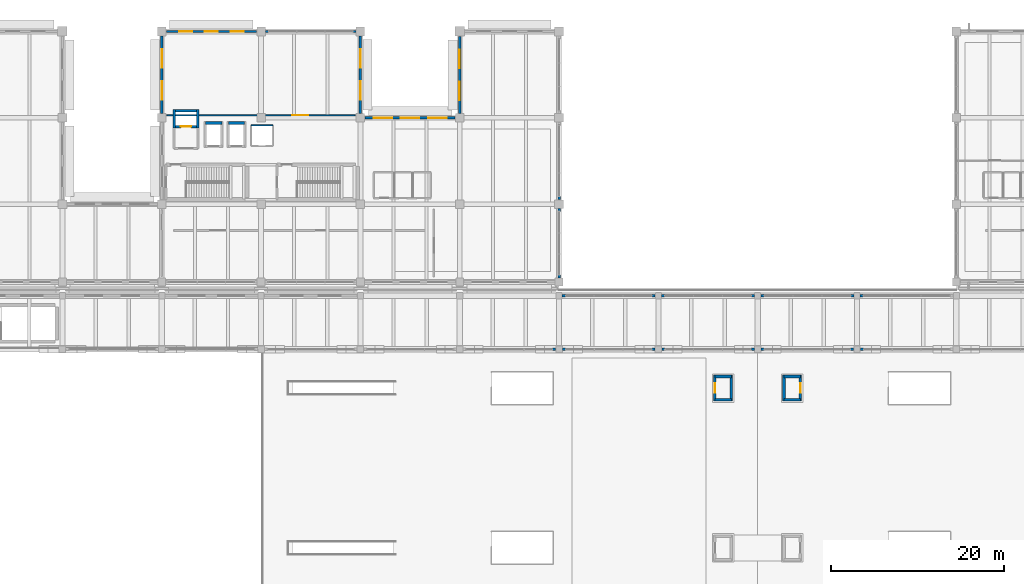
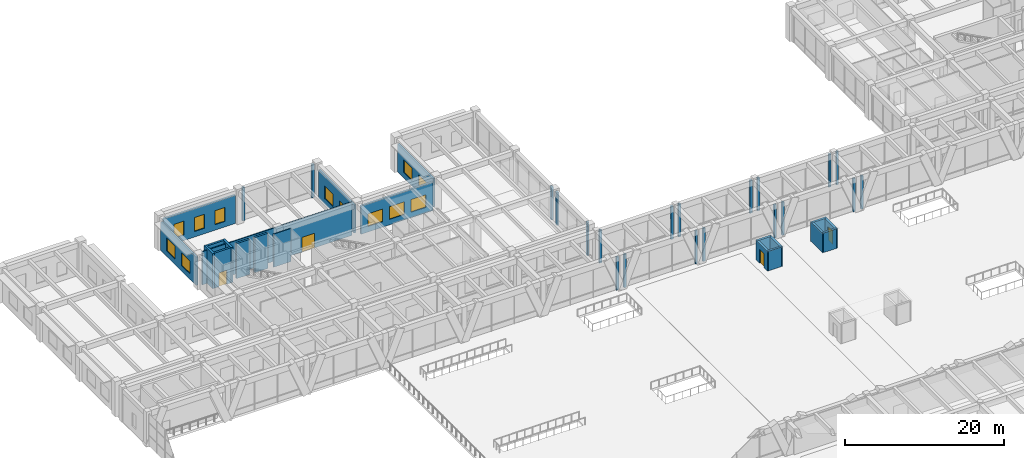
# One storey, part 129 of 148: 41 walls, 12 windows, 4 doors, 16 openings.
"""IFC4 building model written with IfcOpenShell, lengths in metres."""

from ifc_helpers import new_model, si_unit, direction, frame, frame_2d, origin, place, context, subcontext, project, spatial, rectangle, extrude, material, layer, layer_set, type_object, element, fill, save


model = new_model("IFC4")

# Units and contexts
model_context = context("Model", 3, precision=1e-05, world=origin(), true_north=direction((0.0, 1.0)))
body_context = subcontext(model_context, "Body", "Model", "MODEL_VIEW")
ifc_project = project(units=[si_unit("LENGTHUNIT", "METRE"), si_unit("AREAUNIT", "SQUARE_METRE"), si_unit("VOLUMEUNIT", "CUBIC_METRE"), si_unit("PLANEANGLEUNIT", "RADIAN"), si_unit("MASSUNIT", "GRAM", prefix="KILO")], contexts=[model_context])

# Site, building, storey
site_placement = place(None, origin())
site = spatial("IfcSite", under=ifc_project, at=site_placement, CompositionType="ELEMENT")
building_placement = place(site_placement, origin())
building = spatial("IfcBuilding", under=site, at=building_placement, Name="Ologun Quay Terminus", CompositionType="ELEMENT")
storey_placement = place(building_placement, frame((0.0, 0.0, 8.39990234375)))
storey = spatial("IfcBuildingStorey", under=building, at=storey_placement, Name="L02", CompositionType="ELEMENT", Elevation=8.39990234375)

# Wall, opening, door
ifc_material_1 = material(Name="Gypsum Acoustic Stud")
ifc_layer_1 = layer(ifc_material_1, 0.14990234375)
ifc_layer_set_1 = layer_set([ifc_layer_1], Name="Gypsum Acoustic Stud")
wall_type_1 = type_object("IfcWallType", Name="Community & Reading Room Partition 150", PredefinedType="PARTITIONING", material=ifc_layer_set_1)
wall_1_placement = place(storey_placement, frame((23.60009765625, 105.10009765625, 0.0), z_axis=(0.0, 0.0, 1.0), x_axis=(1.0, 0.0, 0.0)))
wall_1 = element("IfcWall", 1, at=wall_1_placement, inside=storey, type_object=wall_type_1, Name="PW-05 Partition L02-HistArchive-S", PredefinedType="PARTITIONING", context=body_context, shape_type="SweptSolid", body=[
    extrude(rectangle(XDim=21.7998046875, YDim=0.14990234375, at=frame_2d((10.89990234375, 0.0))), origin(), (0.0, 0.0, 1.0), 5.1201171875),
])
opening_1_placement = place(wall_1_placement, frame((14.5, 0.0, 0.0)))
opening_1 = element("IfcOpeningElement", 2, at=opening_1_placement, cuts=wall_1, Name="Opening ID-318", PredefinedType="OPENING", context=body_context, shape_type="SweptSolid", body=[
    extrude(rectangle(XDim=1.85009765625, YDim=2.25, at=frame_2d((0.925048828125, 1.125))), frame((0.0, 0.0849609375, 0.0), z_axis=(0.0, -1.0, 0.0), x_axis=(1.0, 0.0, 0.0)), (0.0, 0.0, 1.0), 0.169921875),
])
ifc_material_2 = material(Name="Glass", Category="glass")
door_type_1 = type_object("IfcDoorType", Name="Reading Room Glazed Pair 1850x2250", OperationType="DOUBLE_DOOR_SINGLE_SWING", PredefinedType="DOOR", material=ifc_material_2)
door_1_placement = place(opening_1_placement, origin())
door_1 = element("IfcDoor", 3, at=door_1_placement, inside=storey, type_object=door_type_1, Name="ID-11 Door ID-318", OperationType="DOUBLE_DOOR_SINGLE_SWING", OverallHeight=2.25, OverallWidth=1.85009765625, PredefinedType="DOOR", context=body_context, shape_type="SweptSolid", body=[
    extrude(rectangle(XDim=1.85009765625, YDim=2.25, at=frame_2d((0.925048828125, 1.125))), frame((0.0, 0.02490234375, 0.0), z_axis=(0.0, -1.0, 0.0), x_axis=(1.0, 0.0, 0.0)), (0.0, 0.0, 1.0), 0.050048828125),
])
fill(opening_1, door_1)

# Walls
ifc_material_3 = material(Name="Concrete C40/50", Category="concrete")
ifc_layer_2 = layer(ifc_material_3, 0.280029296875)
ifc_layer_set_2 = layer_set([ifc_layer_2], Name="Concrete C40/50")
wall_type_2 = type_object("IfcWallType", Name="Courtyard Wing Spandrel Concrete Wall 280", PredefinedType="SOLIDWALL", material=ifc_layer_set_2)
for number, where, z_axis, x_axis, name in (
    (4, (69.0, 86.27001953125, 0.0), (0.0, 0.0, 1.0), (0.0, 1.0, 0.0), "Curtain Wall Jamb Pier CW-L02-105-J1"),
    (5, (69.0, 93.929931640625, 0.0), (0.0, 0.0, 1.0), (0.0, 1.0, 0.0), "Curtain Wall Jamb Pier CW-L02-105-J2"),
):
    element("IfcWall", number, at=place(storey_placement, frame(where, z_axis=z_axis, x_axis=x_axis)), inside=storey, type_object=wall_type_2, Name=name, PredefinedType="SOLIDWALL", context=body_context, shape_type="SweptSolid", body=[
        extrude(rectangle(XDim=0.35009765625, YDim=0.280029296875, at=frame_2d((0.175048828125, 0.0))), origin(), (0.0, 0.0, 1.0), 5.130126953125),
    ])
wall_2_placement = place(storey_placement, frame((69.0, 95.320068359375, 0.0), z_axis=(0.0, 0.0, 1.0), x_axis=(0.0, 1.0, 0.0)))
element("IfcWall", 6, at=wall_2_placement, inside=storey, type_object=wall_type_2, Name="Curtain Wall Jamb Pier CW-L02-106-J1", PredefinedType="SOLIDWALL", context=body_context, shape_type="SweptSolid", body=[
    extrude(rectangle(XDim=0.349853515625, YDim=0.280029296875, at=frame_2d((0.1748046875, 0.0))), origin(), (0.0, 0.0, 1.0), 5.130126953125),
])

# Wall, openings, windows
wall_3_placement = place(storey_placement, frame((57.5, 105.320068359375, 0.0), z_axis=(0.0, 0.0, 1.0), x_axis=(0.0, 1.0, 0.0)))
wall_3 = element("IfcWall", 7, at=wall_3_placement, inside=storey, type_object=wall_type_2, Name="EW-02 Facade Wall WEW-WW-O-L02-11", PredefinedType="SOLIDWALL", context=body_context, shape_type="SweptSolid", body=[
    extrude(rectangle(XDim=8.909912109375, YDim=0.280029296875, at=frame_2d((4.455078125, 0.0))), origin(), (0.0, 0.0, 1.0), 4.35009765625),
])
opening_2_placement = place(wall_3_placement, frame((1.53662109375, 0.0, 0.85009765625)))
opening_2 = element("IfcOpeningElement", 8, at=opening_2_placement, cuts=wall_3, Name="Opening WN-256", PredefinedType="OPENING", context=body_context, shape_type="SweptSolid", body=[
    extrude(rectangle(XDim=2.14990234375, YDim=1.949951171875, at=frame_2d((1.074951171875, 0.97509765625))), frame((0.0, 0.14990234375, 0.0), z_axis=(0.0, -1.0, 0.0), x_axis=(1.0, 0.0, 0.0)), (0.0, 0.0, 1.0), 0.300048828125),
])
opening_3_placement = place(wall_3_placement, frame((5.223388671875, 0.0, 0.85009765625)))
opening_3 = element("IfcOpeningElement", 9, at=opening_3_placement, cuts=wall_3, Name="Opening WN-257", PredefinedType="OPENING", context=body_context, shape_type="SweptSolid", body=[
    extrude(rectangle(XDim=2.14990234375, YDim=1.949951171875, at=frame_2d((1.074951171875, 0.97509765625))), frame((0.0, 0.14990234375, 0.0), z_axis=(0.0, -1.0, 0.0), x_axis=(1.0, 0.0, 0.0)), (0.0, 0.0, 1.0), 0.300048828125),
])
ifc_material_4 = material(Name="Glass", Category="glass")
window_type_1 = type_object("IfcWindowType", Name="Courtyard Loggia Window 2150x1950", PartitioningType="SINGLE_PANEL", PredefinedType="WINDOW", material=ifc_material_4)
window_1_placement = place(opening_2_placement, origin())
window_1 = element("IfcWindow", 10, at=window_1_placement, inside=storey, type_object=window_type_1, Name="W-37 Window WN-256", OverallHeight=1.949951171875, OverallWidth=2.14990234375, PartitioningType="SINGLE_PANEL", PredefinedType="WINDOW", context=body_context, shape_type="SweptSolid", body=[
    extrude(rectangle(XDim=2.14990234375, YDim=1.949951171875, at=frame_2d((1.074951171875, 0.97509765625))), frame((0.0, 0.030029296875, 0.0), z_axis=(0.0, -1.0, 0.0), x_axis=(1.0, 0.0, 0.0)), (0.0, 0.0, 1.0), 0.06005859375),
])
fill(opening_2, window_1)
window_2_placement = place(opening_3_placement, origin())
window_2 = element("IfcWindow", 11, at=window_2_placement, inside=storey, type_object=window_type_1, Name="W-37 Window WN-257", OverallHeight=1.949951171875, OverallWidth=2.14990234375, PartitioningType="SINGLE_PANEL", PredefinedType="WINDOW", context=body_context, shape_type="SweptSolid", body=[
    extrude(rectangle(XDim=2.14990234375, YDim=1.949951171875, at=frame_2d((1.074951171875, 0.97509765625))), frame((0.0, 0.030029296875, 0.0), z_axis=(0.0, -1.0, 0.0), x_axis=(1.0, 0.0, 0.0)), (0.0, 0.0, 1.0), 0.06005859375),
])
fill(opening_3, window_2)

wall_4_placement = place(storey_placement, frame((46.52001953125, 104.800048828125, 0.0), z_axis=(0.0, 0.0, 1.0), x_axis=(1.0, 0.0, 0.0)))
wall_4 = element("IfcWall", 12, at=wall_4_placement, inside=storey, type_object=wall_type_2, Name="EW-02 Facade Wall WEW-WW-O-L02-12", PredefinedType="SOLIDWALL", context=body_context, shape_type="SweptSolid", body=[
    extrude(rectangle(XDim=10.4599609375, YDim=0.280029296875, at=frame_2d((5.22998046875, 0.0))), origin(), (0.0, 0.0, 1.0), 4.35009765625),
])
opening_4_placement = place(wall_4_placement, frame((1.00244140625, 0.0, 0.85009765625)))
opening_4 = element("IfcOpeningElement", 13, at=opening_4_placement, cuts=wall_4, Name="Opening WN-258", PredefinedType="OPENING", context=body_context, shape_type="SweptSolid", body=[
    extrude(rectangle(XDim=2.14990234375, YDim=1.949951171875, at=frame_2d((1.074951171875, 0.97509765625))), frame((0.0, 0.14990234375, 0.0), z_axis=(0.0, -1.0, 0.0), x_axis=(1.0, 0.0, 0.0)), (0.0, 0.0, 1.0), 0.300048828125),
])
opening_5_placement = place(wall_4_placement, frame((4.155029296875, 0.0, 0.85009765625)))
opening_5 = element("IfcOpeningElement", 14, at=opening_5_placement, cuts=wall_4, Name="Opening WN-259", PredefinedType="OPENING", context=body_context, shape_type="SweptSolid", body=[
    extrude(rectangle(XDim=2.14990234375, YDim=1.949951171875, at=frame_2d((1.074951171875, 0.97509765625))), frame((0.0, 0.14990234375, 0.0), z_axis=(0.0, -1.0, 0.0), x_axis=(1.0, 0.0, 0.0)), (0.0, 0.0, 1.0), 0.300048828125),
])
opening_6_placement = place(wall_4_placement, frame((7.3076171875, 0.0, 0.85009765625)))
opening_6 = element("IfcOpeningElement", 15, at=opening_6_placement, cuts=wall_4, Name="Opening WN-260", PredefinedType="OPENING", context=body_context, shape_type="SweptSolid", body=[
    extrude(rectangle(XDim=2.14990234375, YDim=1.949951171875, at=frame_2d((1.074951171875, 0.97509765625))), frame((0.0, 0.14990234375, 0.0), z_axis=(0.0, -1.0, 0.0), x_axis=(1.0, 0.0, 0.0)), (0.0, 0.0, 1.0), 0.300048828125),
])
window_3_placement = place(opening_4_placement, origin())
window_3 = element("IfcWindow", 16, at=window_3_placement, inside=storey, type_object=window_type_1, Name="W-37 Window WN-258", OverallHeight=1.949951171875, OverallWidth=2.14990234375, PartitioningType="SINGLE_PANEL", PredefinedType="WINDOW", context=body_context, shape_type="SweptSolid", body=[
    extrude(rectangle(XDim=2.14990234375, YDim=1.949951171875, at=frame_2d((1.074951171875, 0.97509765625))), frame((0.0, 0.030029296875, 0.0), z_axis=(0.0, -1.0, 0.0), x_axis=(1.0, 0.0, 0.0)), (0.0, 0.0, 1.0), 0.06005859375),
])
fill(opening_4, window_3)
window_4_placement = place(opening_5_placement, origin())
window_4 = element("IfcWindow", 17, at=window_4_placement, inside=storey, type_object=window_type_1, Name="W-37 Window WN-259", OverallHeight=1.949951171875, OverallWidth=2.14990234375, PartitioningType="SINGLE_PANEL", PredefinedType="WINDOW", context=body_context, shape_type="SweptSolid", body=[
    extrude(rectangle(XDim=2.14990234375, YDim=1.949951171875, at=frame_2d((1.074951171875, 0.97509765625))), frame((0.0, 0.030029296875, 0.0), z_axis=(0.0, -1.0, 0.0), x_axis=(1.0, 0.0, 0.0)), (0.0, 0.0, 1.0), 0.06005859375),
])
fill(opening_5, window_4)
window_5_placement = place(opening_6_placement, origin())
window_5 = element("IfcWindow", 18, at=window_5_placement, inside=storey, type_object=window_type_1, Name="W-37 Window WN-260", OverallHeight=1.949951171875, OverallWidth=2.14990234375, PartitioningType="SINGLE_PANEL", PredefinedType="WINDOW", context=body_context, shape_type="SweptSolid", body=[
    extrude(rectangle(XDim=2.14990234375, YDim=1.949951171875, at=frame_2d((1.074951171875, 0.97509765625))), frame((0.0, 0.030029296875, 0.0), z_axis=(0.0, -1.0, 0.0), x_axis=(1.0, 0.0, 0.0)), (0.0, 0.0, 1.0), 0.06005859375),
])
fill(opening_6, window_5)

wall_5_placement = place(storey_placement, frame((46.0, 105.320068359375, 0.0), z_axis=(0.0, 0.0, 1.0), x_axis=(0.0, 1.0, 0.0)))
wall_5 = element("IfcWall", 19, at=wall_5_placement, inside=storey, type_object=wall_type_2, Name="EW-02 Facade Wall WEW-WW-O-L02-13", PredefinedType="SOLIDWALL", context=body_context, shape_type="SweptSolid", body=[
    extrude(rectangle(XDim=8.9599609375, YDim=0.280029296875, at=frame_2d((4.47998046875, 0.0))), origin(), (0.0, 0.0, 1.0), 4.35009765625),
])
opening_7_placement = place(wall_5_placement, frame((1.55322265625, 0.0, 0.85009765625)))
opening_7 = element("IfcOpeningElement", 20, at=opening_7_placement, cuts=wall_5, Name="Opening WN-261", PredefinedType="OPENING", context=body_context, shape_type="SweptSolid", body=[
    extrude(rectangle(XDim=2.14990234375, YDim=1.949951171875, at=frame_2d((1.074951171875, 0.97509765625))), frame((0.0, 0.14990234375, 0.0), z_axis=(0.0, -1.0, 0.0), x_axis=(1.0, 0.0, 0.0)), (0.0, 0.0, 1.0), 0.300048828125),
])
opening_8_placement = place(wall_5_placement, frame((5.256591796875, 0.0, 0.85009765625)))
opening_8 = element("IfcOpeningElement", 21, at=opening_8_placement, cuts=wall_5, Name="Opening WN-262", PredefinedType="OPENING", context=body_context, shape_type="SweptSolid", body=[
    extrude(rectangle(XDim=2.14990234375, YDim=1.949951171875, at=frame_2d((1.074951171875, 0.97509765625))), frame((0.0, 0.14990234375, 0.0), z_axis=(0.0, -1.0, 0.0), x_axis=(1.0, 0.0, 0.0)), (0.0, 0.0, 1.0), 0.300048828125),
])
window_6_placement = place(opening_7_placement, origin())
window_6 = element("IfcWindow", 22, at=window_6_placement, inside=storey, type_object=window_type_1, Name="W-37 Window WN-261", OverallHeight=1.949951171875, OverallWidth=2.14990234375, PartitioningType="SINGLE_PANEL", PredefinedType="WINDOW", context=body_context, shape_type="SweptSolid", body=[
    extrude(rectangle(XDim=2.14990234375, YDim=1.949951171875, at=frame_2d((1.074951171875, 0.97509765625))), frame((0.0, 0.030029296875, 0.0), z_axis=(0.0, -1.0, 0.0), x_axis=(1.0, 0.0, 0.0)), (0.0, 0.0, 1.0), 0.06005859375),
])
fill(opening_7, window_6)
window_7_placement = place(opening_8_placement, origin())
window_7 = element("IfcWindow", 23, at=window_7_placement, inside=storey, type_object=window_type_1, Name="W-37 Window WN-262", OverallHeight=1.949951171875, OverallWidth=2.14990234375, PartitioningType="SINGLE_PANEL", PredefinedType="WINDOW", context=body_context, shape_type="SweptSolid", body=[
    extrude(rectangle(XDim=2.14990234375, YDim=1.949951171875, at=frame_2d((1.074951171875, 0.97509765625))), frame((0.0, 0.030029296875, 0.0), z_axis=(0.0, -1.0, 0.0), x_axis=(1.0, 0.0, 0.0)), (0.0, 0.0, 1.0), 0.06005859375),
])
fill(opening_8, window_7)

wall_6_placement = place(storey_placement, frame((23.52001953125, 114.800048828125, 0.0), z_axis=(0.0, 0.0, 1.0), x_axis=(1.0, 0.0, 0.0)))
wall_6 = element("IfcWall", 24, at=wall_6_placement, inside=storey, type_object=wall_type_2, Name="EW-02 Facade Wall WEW-WW-N-L02-14", PredefinedType="SOLIDWALL", context=body_context, shape_type="SweptSolid", body=[
    extrude(rectangle(XDim=10.4599609375, YDim=0.280029296875, at=frame_2d((5.22998046875, 0.0))), origin(), (0.0, 0.0, 1.0), 4.35009765625),
])
opening_9_placement = place(wall_6_placement, frame((1.489990234375, 0.0, 0.85009765625)))
opening_9 = element("IfcOpeningElement", 25, at=opening_9_placement, cuts=wall_6, Name="Opening WN-263", PredefinedType="OPENING", context=body_context, shape_type="SweptSolid", body=[
    extrude(rectangle(XDim=1.5, YDim=2.14990234375, at=frame_2d((0.75, 1.074951171875))), frame((0.0, 0.14990234375, 0.0), z_axis=(0.0, -1.0, 0.0), x_axis=(1.0, 0.0, 0.0)), (0.0, 0.0, 1.0), 0.300048828125),
])
opening_10_placement = place(wall_6_placement, frame((4.47998046875, 0.0, 0.85009765625)))
opening_10 = element("IfcOpeningElement", 26, at=opening_10_placement, cuts=wall_6, Name="Opening WN-264", PredefinedType="OPENING", context=body_context, shape_type="SweptSolid", body=[
    extrude(rectangle(XDim=1.5, YDim=2.14990234375, at=frame_2d((0.75, 1.074951171875))), frame((0.0, 0.14990234375, 0.0), z_axis=(0.0, -1.0, 0.0), x_axis=(1.0, 0.0, 0.0)), (0.0, 0.0, 1.0), 0.300048828125),
])
opening_11_placement = place(wall_6_placement, frame((7.469970703125, 0.0, 0.85009765625)))
opening_11 = element("IfcOpeningElement", 27, at=opening_11_placement, cuts=wall_6, Name="Opening WN-265", PredefinedType="OPENING", context=body_context, shape_type="SweptSolid", body=[
    extrude(rectangle(XDim=1.5, YDim=2.14990234375, at=frame_2d((0.75, 1.074951171875))), frame((0.0, 0.14990234375, 0.0), z_axis=(0.0, -1.0, 0.0), x_axis=(1.0, 0.0, 0.0)), (0.0, 0.0, 1.0), 0.300048828125),
])
ifc_material_5 = material(Name="Glass", Category="glass")
window_type_2 = type_object("IfcWindowType", Name="Community Hall Tall Window 1500x2150", PartitioningType="SINGLE_PANEL", PredefinedType="WINDOW", material=ifc_material_5)
window_8_placement = place(opening_9_placement, origin())
window_8 = element("IfcWindow", 28, at=window_8_placement, inside=storey, type_object=window_type_2, Name="W-14 Window WN-263", OverallHeight=2.14990234375, OverallWidth=1.5, PartitioningType="SINGLE_PANEL", PredefinedType="WINDOW", context=body_context, shape_type="SweptSolid", body=[
    extrude(rectangle(XDim=1.5, YDim=2.14990234375, at=frame_2d((0.75, 1.074951171875))), frame((0.0, 0.030029296875, 0.0), z_axis=(0.0, -1.0, 0.0), x_axis=(1.0, 0.0, 0.0)), (0.0, 0.0, 1.0), 0.06005859375),
])
fill(opening_9, window_8)
window_9_placement = place(opening_10_placement, origin())
window_9 = element("IfcWindow", 29, at=window_9_placement, inside=storey, type_object=window_type_2, Name="W-14 Window WN-264", OverallHeight=2.14990234375, OverallWidth=1.5, PartitioningType="SINGLE_PANEL", PredefinedType="WINDOW", context=body_context, shape_type="SweptSolid", body=[
    extrude(rectangle(XDim=1.5, YDim=2.14990234375, at=frame_2d((0.75, 1.074951171875))), frame((0.0, 0.030029296875, 0.0), z_axis=(0.0, -1.0, 0.0), x_axis=(1.0, 0.0, 0.0)), (0.0, 0.0, 1.0), 0.06005859375),
])
fill(opening_10, window_9)
window_10_placement = place(opening_11_placement, origin())
window_10 = element("IfcWindow", 30, at=window_10_placement, inside=storey, type_object=window_type_2, Name="W-14 Window WN-265", OverallHeight=2.14990234375, OverallWidth=1.5, PartitioningType="SINGLE_PANEL", PredefinedType="WINDOW", context=body_context, shape_type="SweptSolid", body=[
    extrude(rectangle(XDim=1.5, YDim=2.14990234375, at=frame_2d((0.75, 1.074951171875))), frame((0.0, 0.030029296875, 0.0), z_axis=(0.0, -1.0, 0.0), x_axis=(1.0, 0.0, 0.0)), (0.0, 0.0, 1.0), 0.06005859375),
])
fill(opening_11, window_10)

# Walls
for number, where, z_axis, x_axis, name in (
    (31, (35.02001953125, 114.800048828125, 0.0), (0.0, 0.0, 1.0), (1.0, 0.0, 0.0), "Curtain Wall Jamb Pier CW-L02-108-J1"),
    (32, (45.1298828125, 114.800048828125, 0.0), (0.0, 0.0, 1.0), (1.0, 0.0, 0.0), "Curtain Wall Jamb Pier CW-L02-108-J2"),
):
    element("IfcWall", number, at=place(storey_placement, frame(where, z_axis=z_axis, x_axis=x_axis)), inside=storey, type_object=wall_type_2, Name=name, PredefinedType="SOLIDWALL", context=body_context, shape_type="SweptSolid", body=[
        extrude(rectangle(XDim=0.35009765625, YDim=0.280029296875, at=frame_2d((0.175048828125, 0.0))), origin(), (0.0, 0.0, 1.0), 5.130126953125),
    ])

# Wall, openings, windows
wall_7_placement = place(storey_placement, frame((23.0, 105.320068359375, 0.0), z_axis=(0.0, 0.0, 1.0), x_axis=(0.0, 1.0, 0.0)))
wall_7 = element("IfcWall", 33, at=wall_7_placement, inside=storey, type_object=wall_type_2, Name="EW-02 Facade Wall WEW-WW-O-L02-17", PredefinedType="SOLIDWALL", context=body_context, shape_type="SweptSolid", body=[
    extrude(rectangle(XDim=8.9599609375, YDim=0.280029296875, at=frame_2d((4.47998046875, 0.0))), origin(), (0.0, 0.0, 1.0), 4.35009765625),
])
opening_12_placement = place(wall_7_placement, frame((1.55322265625, 0.0, 0.85009765625)))
opening_12 = element("IfcOpeningElement", 34, at=opening_12_placement, cuts=wall_7, Name="Opening WN-268", PredefinedType="OPENING", context=body_context, shape_type="SweptSolid", body=[
    extrude(rectangle(XDim=2.14990234375, YDim=1.949951171875, at=frame_2d((1.074951171875, 0.97509765625))), frame((0.0, 0.14990234375, 0.0), z_axis=(0.0, -1.0, 0.0), x_axis=(1.0, 0.0, 0.0)), (0.0, 0.0, 1.0), 0.300048828125),
])
opening_13_placement = place(wall_7_placement, frame((5.256591796875, 0.0, 0.85009765625)))
opening_13 = element("IfcOpeningElement", 35, at=opening_13_placement, cuts=wall_7, Name="Opening WN-269", PredefinedType="OPENING", context=body_context, shape_type="SweptSolid", body=[
    extrude(rectangle(XDim=2.14990234375, YDim=1.949951171875, at=frame_2d((1.074951171875, 0.97509765625))), frame((0.0, 0.14990234375, 0.0), z_axis=(0.0, -1.0, 0.0), x_axis=(1.0, 0.0, 0.0)), (0.0, 0.0, 1.0), 0.300048828125),
])
window_11_placement = place(opening_12_placement, origin())
window_11 = element("IfcWindow", 36, at=window_11_placement, inside=storey, type_object=window_type_1, Name="W-37 Window WN-268", OverallHeight=1.949951171875, OverallWidth=2.14990234375, PartitioningType="SINGLE_PANEL", PredefinedType="WINDOW", context=body_context, shape_type="SweptSolid", body=[
    extrude(rectangle(XDim=2.14990234375, YDim=1.949951171875, at=frame_2d((1.074951171875, 0.97509765625))), frame((0.0, 0.030029296875, 0.0), z_axis=(0.0, -1.0, 0.0), x_axis=(1.0, 0.0, 0.0)), (0.0, 0.0, 1.0), 0.06005859375),
])
fill(opening_12, window_11)
window_12_placement = place(opening_13_placement, origin())
window_12 = element("IfcWindow", 37, at=window_12_placement, inside=storey, type_object=window_type_1, Name="W-37 Window WN-269", OverallHeight=1.949951171875, OverallWidth=2.14990234375, PartitioningType="SINGLE_PANEL", PredefinedType="WINDOW", context=body_context, shape_type="SweptSolid", body=[
    extrude(rectangle(XDim=2.14990234375, YDim=1.949951171875, at=frame_2d((1.074951171875, 0.97509765625))), frame((0.0, 0.030029296875, 0.0), z_axis=(0.0, -1.0, 0.0), x_axis=(1.0, 0.0, 0.0)), (0.0, 0.0, 1.0), 0.06005859375),
])
fill(opening_13, window_12)

# Wall, opening, door
ifc_material_6 = material(Name="Concrete C40/50", Category="concrete")
ifc_layer_3 = layer(ifc_material_6, 0.300048828125)
ifc_layer_set_3 = layer_set([ifc_layer_3], Name="Concrete C40/50")
wall_type_3 = type_object("IfcWallType", Name="Lift Shaft Structural Shear Wall 300", PredefinedType="SHEAR", material=ifc_layer_set_3)
wall_8_placement = place(storey_placement, frame((24.449951171875, 103.780029296875, 0.0), z_axis=(0.0, 0.0, 1.0), x_axis=(1.0, 0.0, 0.0)))
wall_8 = element("IfcWall", 38, at=wall_8_placement, inside=storey, type_object=wall_type_3, Name="Lift FFL-01 Shaft Wall S L02", PredefinedType="SHEAR", context=body_context, shape_type="SweptSolid", body=[
    extrude(rectangle(XDim=2.699951171875, YDim=0.300048828125, at=frame_2d((1.35009765625, 0.0))), origin(), (0.0, 0.0, 1.0), 5.400146484375),
])
opening_14_placement = place(wall_8_placement, frame((0.75, 0.0, 0.0)))
opening_14 = element("IfcOpeningElement", 39, at=opening_14_placement, cuts=wall_8, Name="Opening ID-005", PredefinedType="OPENING", context=body_context, shape_type="SweptSolid", body=[
    extrude(rectangle(XDim=1.199951171875, YDim=2.14990234375, at=frame_2d((0.60009765625, 1.074951171875))), frame((0.0, 0.16015625, 0.0), z_axis=(0.0, -1.0, 0.0), x_axis=(1.0, 0.0, 0.0)), (0.0, 0.0, 1.0), 0.320068359375),
])
ifc_material_7 = material(Name="Steel S355", Category="steel")
door_type_2 = type_object("IfcDoorType", Name="Firefighting Lift Landing Sliding Door 1200x2150", OperationType="SLIDING_TO_RIGHT", PredefinedType="DOOR", material=ifc_material_7)
door_2_placement = place(opening_14_placement, origin())
door_2 = element("IfcDoor", 40, at=door_2_placement, inside=storey, type_object=door_type_2, Name="LD-02 Door ID-005", OperationType="SLIDING_TO_RIGHT", OverallHeight=2.14990234375, OverallWidth=1.199951171875, PredefinedType="DOOR", context=body_context, shape_type="SweptSolid", body=[
    extrude(rectangle(XDim=1.199951171875, YDim=2.14990234375, at=frame_2d((0.60009765625, 1.074951171875))), frame((0.0, 0.02490234375, 0.0), z_axis=(0.0, -1.0, 0.0), x_axis=(1.0, 0.0, 0.0)), (0.0, 0.0, 1.0), 0.050048828125),
])
fill(opening_14, door_2)

# Walls
wall_9_placement = place(storey_placement, frame((24.449951171875, 105.6201171875, 0.0), z_axis=(0.0, 0.0, 1.0), x_axis=(1.0, 0.0, 0.0)))
element("IfcWall", 41, at=wall_9_placement, inside=storey, type_object=wall_type_3, Name="Lift FFL-01 Shaft Wall N L02", PredefinedType="SHEAR", context=body_context, shape_type="SweptSolid", body=[
    extrude(rectangle(XDim=2.699951171875, YDim=0.300048828125, at=frame_2d((1.35009765625, 0.0))), origin(), (0.0, 0.0, 1.0), 5.400146484375),
])
for number, where, z_axis, x_axis, name in (
    (42, (24.449951171875, 103.6298828125, 0.0), (0.0, 0.0, 1.0), (0.0, 1.0, 0.0), "Lift FFL-01 Shaft Wall W L02"),
    (43, (27.14990234375, 103.6298828125, 0.0), (0.0, 0.0, 1.0), (0.0, 1.0, 0.0), "Lift FFL-01 Shaft Wall E L02"),
):
    element("IfcWall", number, at=place(storey_placement, frame(where, z_axis=z_axis, x_axis=x_axis)), inside=storey, type_object=wall_type_3, Name=name, PredefinedType="SHEAR", context=body_context, shape_type="SweptSolid", body=[
        extrude(rectangle(XDim=2.14013671875, YDim=0.300048828125, at=frame_2d((1.070068359375, 0.0))), origin(), (0.0, 0.0, 1.0), 5.400146484375),
    ])
wall_10_placement = place(storey_placement, frame((28.050048828125, 104.199951171875, 0.0), z_axis=(0.0, 0.0, 1.0), x_axis=(1.0, 0.0, 0.0)))
element("IfcWall", 44, at=wall_10_placement, inside=storey, type_object=wall_type_3, Name="Lift PL-W1 Shaft Wall N L02", PredefinedType="SHEAR", context=body_context, shape_type="SweptSolid", body=[
    extrude(rectangle(XDim=1.89990234375, YDim=0.300048828125, at=frame_2d((0.949951171875, 0.0))), origin(), (0.0, 0.0, 1.0), 5.400146484375),
])
wall_11_placement = place(storey_placement, frame((30.699951171875, 104.199951171875, 0.0), z_axis=(0.0, 0.0, 1.0), x_axis=(1.0, 0.0, 0.0)))
element("IfcWall", 45, at=wall_11_placement, inside=storey, type_object=wall_type_3, Name="Lift PL-W2 Shaft Wall N L02", PredefinedType="SHEAR", context=body_context, shape_type="SweptSolid", body=[
    extrude(rectangle(XDim=1.900146484375, YDim=0.300048828125, at=frame_2d((0.9501953125, 0.0))), origin(), (0.0, 0.0, 1.0), 5.400146484375),
])
for number, where, z_axis, x_axis, name in (
    (46, (87.050048828125, 72.14990234375, 0.0), (0.0, 0.0, 1.0), (1.0, 0.0, 0.0), "Lift PL-P3 Shaft Wall S L02"),
    (47, (87.050048828125, 74.85009765625, 0.0), (0.0, 0.0, 1.0), (1.0, 0.0, 0.0), "Lift PL-P3 Shaft Wall N L02"),
):
    element("IfcWall", number, at=place(storey_placement, frame(where, z_axis=z_axis, x_axis=x_axis)), inside=storey, type_object=wall_type_3, Name=name, PredefinedType="SHEAR", context=body_context, shape_type="SweptSolid", body=[
        extrude(rectangle(XDim=1.89990234375, YDim=0.300048828125, at=frame_2d((0.949951171875, 0.0))), origin(), (0.0, 0.0, 1.0), 3.0),
    ])

# Wall, opening, door
wall_12_placement = place(storey_placement, frame((87.050048828125, 72.0, 0.0), z_axis=(0.0, 0.0, 1.0), x_axis=(0.0, 1.0, 0.0)))
wall_12 = element("IfcWall", 48, at=wall_12_placement, inside=storey, type_object=wall_type_3, Name="Lift PL-P3 Shaft Wall W L02", PredefinedType="SHEAR", context=body_context, shape_type="SweptSolid", body=[
    extrude(rectangle(XDim=3.0, YDim=0.300048828125, at=frame_2d((1.5, 0.0))), origin(), (0.0, 0.0, 1.0), 3.0),
])
opening_15_placement = place(wall_12_placement, frame((0.949951171875, 0.0, 0.0)))
opening_15 = element("IfcOpeningElement", 49, at=opening_15_placement, cuts=wall_12, Name="Opening ID-063", PredefinedType="OPENING", context=body_context, shape_type="SweptSolid", body=[
    extrude(rectangle(XDim=1.10009765625, YDim=2.14990234375, at=frame_2d((0.550048828125, 1.074951171875))), frame((0.0, 0.16015625, 0.0), z_axis=(0.0, -1.0, 0.0), x_axis=(1.0, 0.0, 0.0)), (0.0, 0.0, 1.0), 0.320068359375),
])
ifc_material_8 = material(Name="Steel S355", Category="steel")
door_type_3 = type_object("IfcDoorType", Name="Lift Landing Sliding Door 1100x2150", OperationType="SLIDING_TO_LEFT", PredefinedType="DOOR", material=ifc_material_8)
door_3_placement = place(opening_15_placement, origin())
door_3 = element("IfcDoor", 50, at=door_3_placement, inside=storey, type_object=door_type_3, Name="LD-01 Door ID-063", OperationType="SLIDING_TO_LEFT", OverallHeight=2.14990234375, OverallWidth=1.10009765625, PredefinedType="DOOR", context=body_context, shape_type="SweptSolid", body=[
    extrude(rectangle(XDim=1.10009765625, YDim=2.14990234375, at=frame_2d((0.550048828125, 1.074951171875))), frame((0.0, 0.02490234375, 0.0), z_axis=(0.0, -1.0, 0.0), x_axis=(1.0, 0.0, 0.0)), (0.0, 0.0, 1.0), 0.050048828125),
])
fill(opening_15, door_3)

# Walls
wall_13_placement = place(storey_placement, frame((88.949951171875, 72.0, 0.0), z_axis=(0.0, 0.0, 1.0), x_axis=(0.0, 1.0, 0.0)))
element("IfcWall", 51, at=wall_13_placement, inside=storey, type_object=wall_type_3, Name="Lift PL-P3 Shaft Wall E L02", PredefinedType="SHEAR", context=body_context, shape_type="SweptSolid", body=[
    extrude(rectangle(XDim=3.0, YDim=0.300048828125, at=frame_2d((1.5, 0.0))), origin(), (0.0, 0.0, 1.0), 3.0),
])
for number, where, z_axis, x_axis, name in (
    (52, (95.050048828125, 72.14990234375, 0.0), (0.0, 0.0, 1.0), (1.0, 0.0, 0.0), "Lift PL-P4 Shaft Wall S L02"),
    (53, (95.050048828125, 74.85009765625, 0.0), (0.0, 0.0, 1.0), (1.0, 0.0, 0.0), "Lift PL-P4 Shaft Wall N L02"),
):
    element("IfcWall", number, at=place(storey_placement, frame(where, z_axis=z_axis, x_axis=x_axis)), inside=storey, type_object=wall_type_3, Name=name, PredefinedType="SHEAR", context=body_context, shape_type="SweptSolid", body=[
        extrude(rectangle(XDim=1.89990234375, YDim=0.300048828125, at=frame_2d((0.949951171875, 0.0))), origin(), (0.0, 0.0, 1.0), 3.0),
    ])
wall_14_placement = place(storey_placement, frame((95.050048828125, 72.0, 0.0), z_axis=(0.0, 0.0, 1.0), x_axis=(0.0, 1.0, 0.0)))
element("IfcWall", 54, at=wall_14_placement, inside=storey, type_object=wall_type_3, Name="Lift PL-P4 Shaft Wall W L02", PredefinedType="SHEAR", context=body_context, shape_type="SweptSolid", body=[
    extrude(rectangle(XDim=3.0, YDim=0.300048828125, at=frame_2d((1.5, 0.0))), origin(), (0.0, 0.0, 1.0), 3.0),
])

# Wall, opening, door
wall_15_placement = place(storey_placement, frame((96.949951171875, 72.0, 0.0), z_axis=(0.0, 0.0, 1.0), x_axis=(0.0, 1.0, 0.0)))
wall_15 = element("IfcWall", 55, at=wall_15_placement, inside=storey, type_object=wall_type_3, Name="Lift PL-P4 Shaft Wall E L02", PredefinedType="SHEAR", context=body_context, shape_type="SweptSolid", body=[
    extrude(rectangle(XDim=3.0, YDim=0.300048828125, at=frame_2d((1.5, 0.0))), origin(), (0.0, 0.0, 1.0), 3.0),
])
opening_16_placement = place(wall_15_placement, frame((0.949951171875, 0.0, 0.0)))
opening_16 = element("IfcOpeningElement", 56, at=opening_16_placement, cuts=wall_15, Name="Opening ID-065", PredefinedType="OPENING", context=body_context, shape_type="SweptSolid", body=[
    extrude(rectangle(XDim=1.10009765625, YDim=2.14990234375, at=frame_2d((0.550048828125, 1.074951171875))), frame((0.0, 0.16015625, 0.0), z_axis=(0.0, -1.0, 0.0), x_axis=(1.0, 0.0, 0.0)), (0.0, 0.0, 1.0), 0.320068359375),
])
door_4_placement = place(opening_16_placement, origin())
door_4 = element("IfcDoor", 57, at=door_4_placement, inside=storey, type_object=door_type_3, Name="LD-01 Door ID-065", OperationType="SLIDING_TO_LEFT", OverallHeight=2.14990234375, OverallWidth=1.10009765625, PredefinedType="DOOR", context=body_context, shape_type="SweptSolid", body=[
    extrude(rectangle(XDim=1.10009765625, YDim=2.14990234375, at=frame_2d((0.550048828125, 1.074951171875))), frame((0.0, 0.02490234375, 0.0), z_axis=(0.0, -1.0, 0.0), x_axis=(1.0, 0.0, 0.0)), (0.0, 0.0, 1.0), 0.050048828125),
])
fill(opening_16, door_4)

# Walls
ifc_material_9 = material(Name="Concrete C40/50", Category="concrete")
ifc_layer_4 = layer(ifc_material_9, 0.1298828125)
ifc_layer_set_4 = layer_set([ifc_layer_4], Name="Concrete C40/50")
wall_type_4 = type_object("IfcWallType", Name="Riser & Service Duct Wall 130", PredefinedType="PLUMBINGWALL", material=ifc_layer_set_4)
wall_16_placement = place(storey_placement, frame((33.35009765625, 103.949951171875, 0.0), z_axis=(0.0, 0.0, 1.0), x_axis=(1.0, 0.0, 0.0)))
element("IfcWall", 58, at=wall_16_placement, inside=storey, type_object=wall_type_4, Name="PW-07 Partition WRiser-N", PredefinedType="PLUMBINGWALL", context=body_context, shape_type="SweptSolid", body=[
    extrude(rectangle(XDim=2.5, YDim=0.1298828125, at=frame_2d((1.25, 0.0))), origin(), (0.0, 0.0, 1.0), 5.1201171875),
])
ifc_material_10 = material(Name="Concrete C40/50", Category="concrete")
ifc_layer_5 = layer(ifc_material_10, 0.260009765625)
ifc_layer_set_5 = layer_set([ifc_layer_5], Name="Concrete C40/50")
wall_type_5 = type_object("IfcWallType", Name="Train Shed Clerestory Upstand Wall 260", PredefinedType="SOLIDWALL", material=ifc_layer_set_5)
for number, where, z_axis, x_axis, name in (
    (59, (68.2548828125, 78.0, 0.0), (0.0, 0.0, 1.0), (1.0, 0.0, 0.0), "Curtain Wall Jamb Pier CW-L02-055-J2"),
    (60, (69.39501953125, 78.0, 0.0), (0.0, 0.0, 1.0), (1.0, 0.0, 0.0), "Curtain Wall Jamb Pier CW-L02-057-J1"),
    (61, (79.7548828125, 78.0, 0.0), (0.0, 0.0, 1.0), (1.0, 0.0, 0.0), "Curtain Wall Jamb Pier CW-L02-057-J2"),
    (62, (80.89501953125, 78.0, 0.0), (0.0, 0.0, 1.0), (1.0, 0.0, 0.0), "Curtain Wall Jamb Pier CW-L02-059-J1"),
    (63, (91.2548828125, 78.0, 0.0), (0.0, 0.0, 1.0), (1.0, 0.0, 0.0), "Curtain Wall Jamb Pier CW-L02-059-J2"),
    (64, (92.39501953125, 78.0, 0.0), (0.0, 0.0, 1.0), (1.0, 0.0, 0.0), "Curtain Wall Jamb Pier CW-L02-061-J1"),
    (65, (102.7548828125, 78.0, 0.0), (0.0, 0.0, 1.0), (1.0, 0.0, 0.0), "Curtain Wall Jamb Pier CW-L02-061-J2"),
    (66, (103.89501953125, 78.0, 0.0), (0.0, 0.0, 1.0), (1.0, 0.0, 0.0), "Curtain Wall Jamb Pier CW-L02-063-J1"),
):
    element("IfcWall", number, at=place(storey_placement, frame(where, z_axis=z_axis, x_axis=x_axis)), inside=storey, type_object=wall_type_5, Name=name, PredefinedType="SOLIDWALL", context=body_context, shape_type="SweptSolid", body=[
        extrude(rectangle(XDim=0.35009765625, YDim=0.260009765625, at=frame_2d((0.175048828125, 0.0))), origin(), (0.0, 0.0, 1.0), 5.10009765625),
    ])
for number, where, z_axis, x_axis, name in (
    (67, (69.3701171875, 84.199951171875, 0.0), (0.0, 0.0, 1.0), (1.0, 0.0, 0.0), "Curtain Wall Jamb Pier CW-L02-080-J1"),
    (68, (79.780029296875, 84.199951171875, 0.0), (0.0, 0.0, 1.0), (1.0, 0.0, 0.0), "Curtain Wall Jamb Pier CW-L02-080-J2"),
    (69, (80.8701171875, 84.199951171875, 0.0), (0.0, 0.0, 1.0), (1.0, 0.0, 0.0), "Curtain Wall Jamb Pier CW-L02-081-J1"),
    (70, (91.280029296875, 84.199951171875, 0.0), (0.0, 0.0, 1.0), (1.0, 0.0, 0.0), "Curtain Wall Jamb Pier CW-L02-081-J2"),
    (71, (92.3701171875, 84.199951171875, 0.0), (0.0, 0.0, 1.0), (1.0, 0.0, 0.0), "Curtain Wall Jamb Pier CW-L02-082-J1"),
    (72, (102.780029296875, 84.199951171875, 0.0), (0.0, 0.0, 1.0), (1.0, 0.0, 0.0), "Curtain Wall Jamb Pier CW-L02-082-J2"),
    (73, (103.8701171875, 84.199951171875, 0.0), (0.0, 0.0, 1.0), (1.0, 0.0, 0.0), "Curtain Wall Jamb Pier CW-L02-083-J1"),
):
    element("IfcWall", number, at=place(storey_placement, frame(where, z_axis=z_axis, x_axis=x_axis)), inside=storey, type_object=wall_type_5, Name=name, PredefinedType="SOLIDWALL", context=body_context, shape_type="SweptSolid", body=[
        extrude(rectangle(XDim=0.349853515625, YDim=0.260009765625, at=frame_2d((0.1748046875, 0.0))), origin(), (0.0, 0.0, 1.0), 5.10009765625),
    ])

save(model, "model.ifc")
